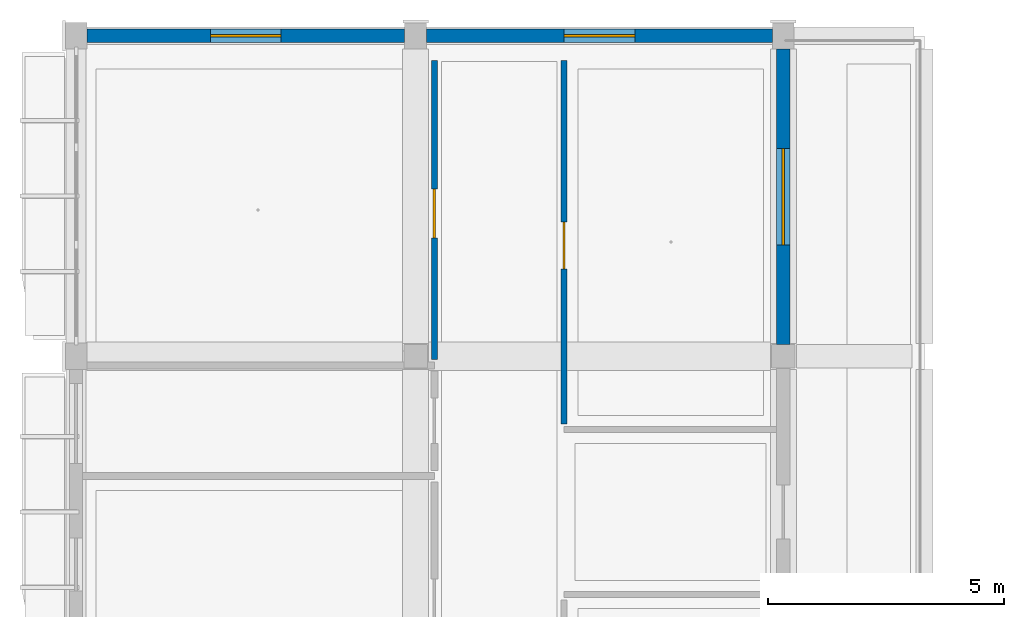
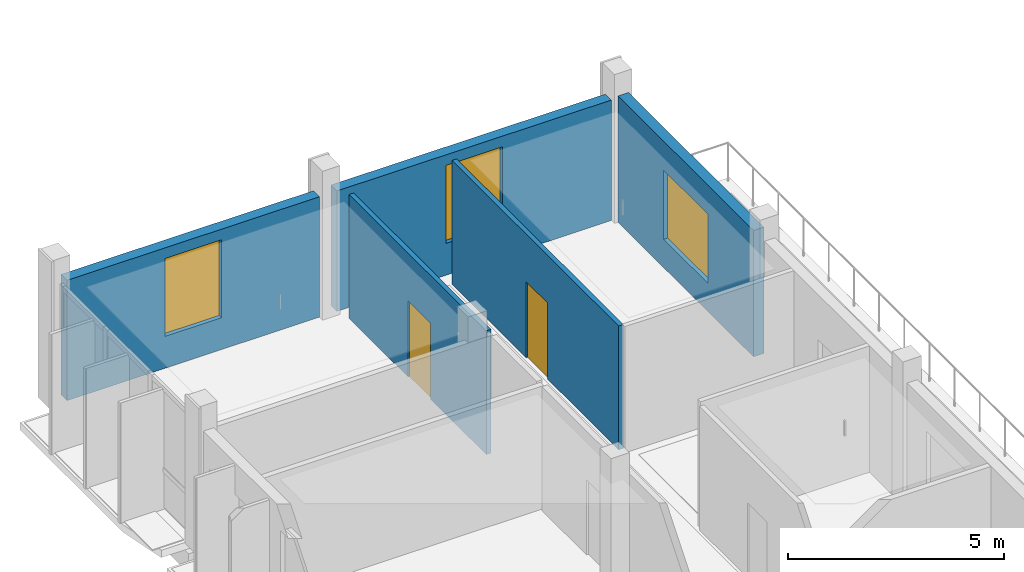
# One storey, part 51 of 85: 5 walls, 3 windows, 2 doors, 5 openings.
"""IFC4 building model written with IfcOpenShell, lengths in metres."""

from ifc_helpers import new_model, si_unit, derived_unit, direction, frame, frame_2d, origin, origin_with_axes, place, context, subcontext, project, spatial, rectangle, extrude, material, layer, layer_set, type_object, element, fill, save


model = new_model("IFC4")

# Units and contexts
model_context = context("Model", 3, precision=1e-05, world=origin(), true_north=direction((0.0, 1.0)))
body_context = subcontext(model_context, "Body", "Model", "MODEL_VIEW")
ifc_project = project(units=[si_unit("LENGTHUNIT", "METRE"), si_unit("AREAUNIT", "SQUARE_METRE"), si_unit("VOLUMEUNIT", "CUBIC_METRE"), si_unit("PLANEANGLEUNIT", "RADIAN"), si_unit("MASSUNIT", "GRAM", prefix="KILO"), derived_unit("THERMALTRANSMITTANCEUNIT", [(si_unit("POWERUNIT", "WATT"), 1), (si_unit("LENGTHUNIT", "METRE"), -2), (si_unit("THERMODYNAMICTEMPERATUREUNIT", "KELVIN"), -1)])], contexts=[model_context])

# Site, building, storey
site_placement = place(None, origin())
site = spatial("IfcSite", under=ifc_project, at=site_placement, CompositionType="ELEMENT")
building_placement = place(site_placement, origin())
building = spatial("IfcBuilding", under=site, at=building_placement, Name="Braskholm Square Health Centre", CompositionType="ELEMENT")
storey_placement = place(building_placement, frame((0.0, 0.0, 9.300048828125)))
storey = spatial("IfcBuildingStorey", under=building, at=storey_placement, Name="L03", CompositionType="ELEMENT", Elevation=9.300048828125)

# Wall, opening, door
ifc_material_1 = material(Name="Acoustic gypsum board partition")
ifc_layer_1 = layer(ifc_material_1, 0.125)
ifc_layer_set_1 = layer_set([ifc_layer_1], Name="Acoustic gypsum board partition")
wall_type_1 = type_object("IfcWallType", Name="ClinicalExamPartition125", PredefinedType="PARTITIONING", material=ifc_layer_set_1)
wall_1_placement = place(storey_placement, frame((11.800048828125, 106.929931640625, 0.0), z_axis=(0.0, 0.0, 1.0), x_axis=(0.0, 1.0, 0.0)))
wall_1 = element("IfcWall", 1, at=wall_1_placement, inside=storey, type_object=wall_type_1, Name="Interior partition PWALL-L03-0140", PredefinedType="PARTITIONING", context=body_context, shape_type="SweptSolid", body=[
    extrude(rectangle(XDim=6.35009765625, YDim=0.125, at=frame_2d((3.175048828125, 0.0))), origin(), (0.0, 0.0, 1.0), 3.494873046875),
])
opening_1_placement = place(wall_1_placement, frame((2.577880859375, 0.0, 0.0)))
opening_1 = element("IfcOpeningElement", 2, at=opening_1_placement, cuts=wall_1, Name="Opening D-09", PredefinedType="OPENING", context=body_context, shape_type="SweptSolid", body=[
    extrude(rectangle(XDim=1.0400390625, YDim=2.14990234375, at=frame_2d((0.52001953125, 1.074951171875))), frame((0.0, 0.072509765625, 0.0), z_axis=(0.0, -1.0, 0.0), x_axis=(1.0, 0.0, 0.0)), (0.0, 0.0, 1.0), 0.14501953125),
])
ifc_material_2 = material(Name="Architectural bronze anodised aluminium", Category="aluminium")
door_type_1 = type_object("IfcDoorType", Name="DoorDentalOperatory1040x2150", OperationType="NOTDEFINED", PredefinedType="DOOR", material=ifc_material_2)
door_1_placement = place(opening_1_placement, origin_with_axes())
door_1 = element("IfcDoor", 3, at=door_1_placement, inside=storey, type_object=door_type_1, Name="Interior door 0064 L03", OperationType="SINGLE_SWING_LEFT", OverallHeight=2.14990234375, OverallWidth=1.0400390625, PredefinedType="DOOR", context=body_context, shape_type="SweptSolid", body=[
    extrude(rectangle(XDim=1.0400390625, YDim=2.14990234375, at=frame_2d((0.52001953125, 1.074951171875))), frame((0.0, 0.02490234375, 0.0), z_axis=(0.0, -1.0, 0.0), x_axis=(1.0, 0.0, 0.0)), (0.0, 0.0, 1.0), 0.050048828125),
])
fill(opening_1, door_1)

wall_2_placement = place(storey_placement, frame((14.550048828125, 105.570068359375, 0.0), z_axis=(0.0, 0.0, 1.0), x_axis=(0.0, 1.0, 0.0)))
wall_2 = element("IfcWall", 4, at=wall_2_placement, inside=storey, type_object=wall_type_1, Name="Interior partition PWALL-L03-0156", PredefinedType="PARTITIONING", context=body_context, shape_type="SweptSolid", body=[
    extrude(rectangle(XDim=7.7099609375, YDim=0.125, at=frame_2d((3.85498046875, 0.0))), origin(), (0.0, 0.0, 1.0), 3.494873046875),
])
opening_2_placement = place(wall_2_placement, frame((3.280029296875, 0.0, 0.0)))
opening_2 = element("IfcOpeningElement", 5, at=opening_2_placement, cuts=wall_2, Name="Opening D-02", PredefinedType="OPENING", context=body_context, shape_type="SweptSolid", body=[
    extrude(rectangle(XDim=1.0, YDim=2.14990234375, at=frame_2d((0.5, 1.074951171875))), frame((0.0, 0.072509765625, 0.0), z_axis=(0.0, -1.0, 0.0), x_axis=(1.0, 0.0, 0.0)), (0.0, 0.0, 1.0), 0.14501953125),
])
door_type_2 = type_object("IfcDoorType", Name="DoorExamSingle1000x2150", OperationType="NOTDEFINED", PredefinedType="DOOR", material=ifc_material_2)
door_2_placement = place(opening_2_placement, frame((1.0, 0.0, 0.0), z_axis=(0.0, 0.0, 1.0), x_axis=(-1.0, 0.0, 0.0)))
door_2 = element("IfcDoor", 6, at=door_2_placement, inside=storey, type_object=door_type_2, Name="Interior door 0072 L03", OperationType="SINGLE_SWING_LEFT", OverallHeight=2.14990234375, OverallWidth=1.0, PredefinedType="DOOR", context=body_context, shape_type="SweptSolid", body=[
    extrude(rectangle(XDim=1.0, YDim=2.14990234375, at=frame_2d((0.5, 1.074951171875))), frame((0.0, 0.02490234375, 0.0), z_axis=(0.0, -1.0, 0.0), x_axis=(1.0, 0.0, 0.0)), (0.0, 0.0, 1.0), 0.050048828125),
])
fill(opening_2, door_2)

# Wall, opening, window
ifc_material_3 = material(Name="Precast concrete C40/50 architectural white", Category="concrete")
ifc_layer_2 = layer(ifc_material_3, 0.280029296875)
ifc_layer_set_2 = layer_set([ifc_layer_2], Name="Precast concrete C40/50 architectural white")
wall_type_2 = type_object("IfcWallType", Name="ExteriorPrecastSpandrelWall280", PredefinedType="SOLIDWALL", material=ifc_layer_set_2)
wall_3_placement = place(storey_placement, frame((19.199951171875, 107.251953125, 0.0), z_axis=(0.0, 0.0, 1.0), x_axis=(0.0, 1.0, 0.0)))
wall_3 = element("IfcWall", 7, at=wall_3_placement, inside=storey, type_object=wall_type_2, Name="Exterior wall EWALL-L03-0129", PredefinedType="SOLIDWALL", context=body_context, shape_type="SweptSolid", body=[
    extrude(rectangle(XDim=6.26611328125, YDim=0.280029296875, at=frame_2d((3.133056640625, 0.0))), origin(), (0.0, 0.0, 1.0), 3.570068359375),
])
opening_3_placement = place(wall_3_placement, frame((2.10791015625, 0.0, 0.800048828125)))
opening_3 = element("IfcOpeningElement", 8, at=opening_3_placement, cuts=wall_3, Name="Opening WN-25", PredefinedType="OPENING", context=body_context, shape_type="SweptSolid", body=[
    extrude(rectangle(XDim=2.050048828125, YDim=1.949951171875, at=frame_2d((1.02490234375, 0.97509765625))), frame((0.0, 0.14990234375, 0.0), z_axis=(0.0, -1.0, 0.0), x_axis=(1.0, 0.0, 0.0)), (0.0, 0.0, 1.0), 0.300048828125),
])
ifc_material_4 = material(Name="Low-E triple insulating glass (VLT 0.64)", Category="glass")
window_type_1 = type_object("IfcWindowType", Name="WinValleyTerrace2050x1950", PartitioningType="SINGLE_PANEL", PredefinedType="WINDOW", material=ifc_material_4)
window_1_placement = place(opening_3_placement, origin_with_axes())
window_1 = element("IfcWindow", 9, at=window_1_placement, inside=storey, type_object=window_type_1, Name="Exterior window 0191 L03", OverallHeight=1.949951171875, OverallWidth=2.050048828125, PartitioningType="SINGLE_PANEL", PredefinedType="WINDOW", context=body_context, shape_type="SweptSolid", body=[
    extrude(rectangle(XDim=2.050048828125, YDim=1.949951171875, at=frame_2d((1.02490234375, 0.97509765625))), frame((0.0, 0.030029296875, 0.0), z_axis=(0.0, -1.0, 0.0), x_axis=(1.0, 0.0, 0.0)), (0.0, 0.0, 1.0), 0.06005859375),
])
fill(opening_3, window_1)

wall_4_placement = place(storey_placement, frame((18.968017578125, 113.800048828125, 0.0), z_axis=(0.0, 0.0, 1.0), x_axis=(-1.0, 0.0, 0.0)))
wall_4 = element("IfcWall", 10, at=wall_4_placement, inside=storey, type_object=wall_type_2, Name="Exterior wall EWALL-L03-0235", PredefinedType="SOLIDWALL", context=body_context, shape_type="SweptSolid", body=[
    extrude(rectangle(XDim=7.3359375, YDim=0.280029296875, at=frame_2d((3.66796875, 0.0))), origin(), (0.0, 0.0, 1.0), 3.39990234375),
])
opening_4_placement = place(wall_4_placement, frame((2.91796875, 0.0, 0.89990234375)))
opening_4 = element("IfcOpeningElement", 11, at=opening_4_placement, cuts=wall_4, Name="Opening WN-03", PredefinedType="OPENING", context=body_context, shape_type="SweptSolid", body=[
    extrude(rectangle(XDim=1.5, YDim=2.199951171875, at=frame_2d((0.75, 1.10009765625))), frame((0.0, 0.14990234375, 0.0), z_axis=(0.0, -1.0, 0.0), x_axis=(1.0, 0.0, 0.0)), (0.0, 0.0, 1.0), 0.300048828125),
])
window_type_2 = type_object("IfcWindowType", Name="WinArtDecoTwin1500x2200", PartitioningType="SINGLE_PANEL", PredefinedType="WINDOW", material=ifc_material_4)
window_2_placement = place(opening_4_placement, origin_with_axes())
window_2 = element("IfcWindow", 12, at=window_2_placement, inside=storey, type_object=window_type_2, Name="Exterior window 0288 L03", OverallHeight=2.199951171875, OverallWidth=1.5, PartitioningType="SINGLE_PANEL", PredefinedType="WINDOW", context=body_context, shape_type="SweptSolid", body=[
    extrude(rectangle(XDim=1.5, YDim=2.199951171875, at=frame_2d((0.75, 1.10009765625))), frame((0.0, 0.030029296875, 0.0), z_axis=(0.0, -1.0, 0.0), x_axis=(1.0, 0.0, 0.0)), (0.0, 0.0, 1.0), 0.06005859375),
])
fill(opening_4, window_2)

wall_5_placement = place(storey_placement, frame((11.16796875, 113.800048828125, 0.0), z_axis=(0.0, 0.0, 1.0), x_axis=(-1.0, 0.0, 0.0)))
wall_5 = element("IfcWall", 13, at=wall_5_placement, inside=storey, type_object=wall_type_2, Name="Exterior wall EWALL-L03-0236", PredefinedType="SOLIDWALL", context=body_context, shape_type="SweptSolid", body=[
    extrude(rectangle(XDim=6.736083984375, YDim=0.280029296875, at=frame_2d((3.3681640625, 0.0))), origin(), (0.0, 0.0, 1.0), 3.39990234375),
])
opening_5_placement = place(wall_5_placement, frame((2.617919921875, 0.0, 0.89990234375)))
opening_5 = element("IfcOpeningElement", 14, at=opening_5_placement, cuts=wall_5, Name="Opening WN-03", PredefinedType="OPENING", context=body_context, shape_type="SweptSolid", body=[
    extrude(rectangle(XDim=1.5, YDim=2.199951171875, at=frame_2d((0.75, 1.10009765625))), frame((0.0, 0.14990234375, 0.0), z_axis=(0.0, -1.0, 0.0), x_axis=(1.0, 0.0, 0.0)), (0.0, 0.0, 1.0), 0.300048828125),
])
window_3_placement = place(opening_5_placement, origin_with_axes())
window_3 = element("IfcWindow", 15, at=window_3_placement, inside=storey, type_object=window_type_2, Name="Exterior window 0289 L03", OverallHeight=2.199951171875, OverallWidth=1.5, PartitioningType="SINGLE_PANEL", PredefinedType="WINDOW", context=body_context, shape_type="SweptSolid", body=[
    extrude(rectangle(XDim=1.5, YDim=2.199951171875, at=frame_2d((0.75, 1.10009765625))), frame((0.0, 0.030029296875, 0.0), z_axis=(0.0, -1.0, 0.0), x_axis=(1.0, 0.0, 0.0)), (0.0, 0.0, 1.0), 0.06005859375),
])
fill(opening_5, window_3)

save(model, "model.ifc")
